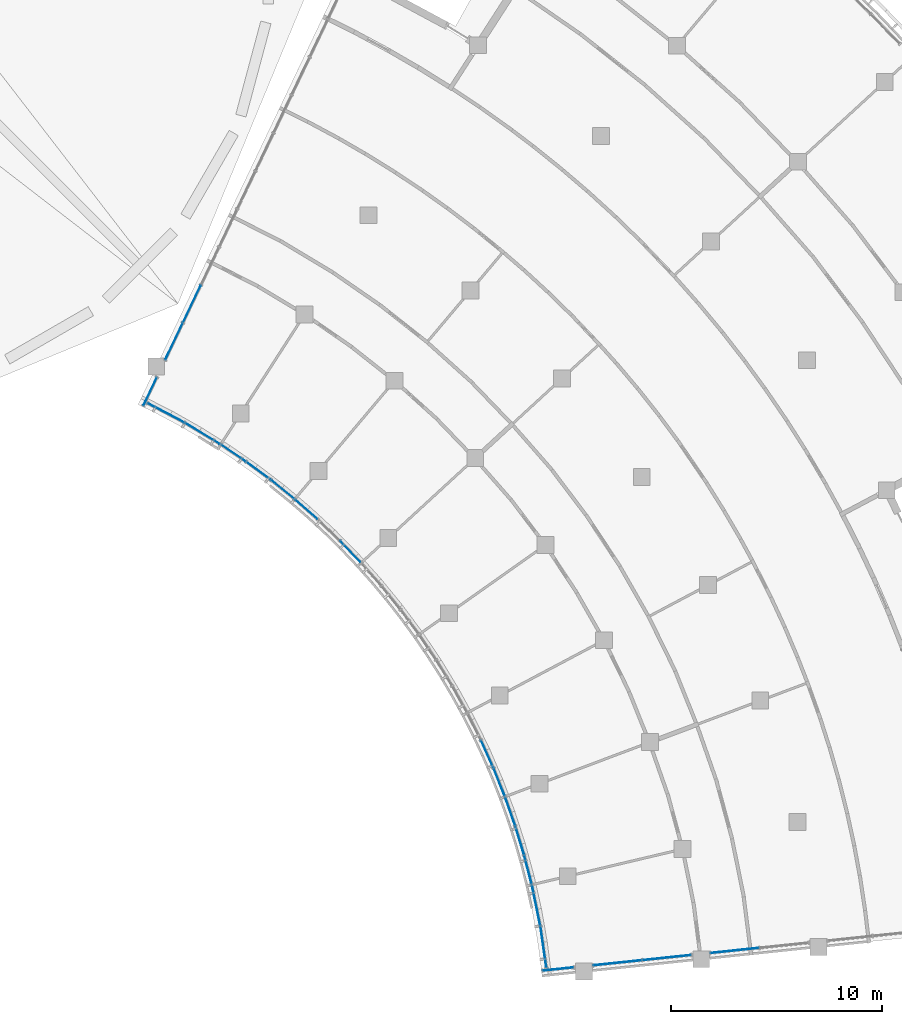
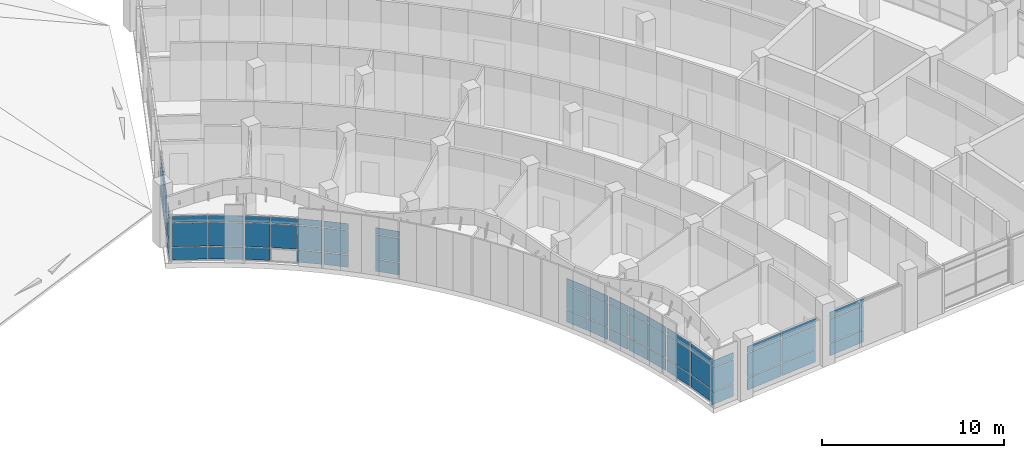
# One storey, part 49 of 137: 62 plates, 11 elements without a shape of their own.
"""IFC4 building model written with IfcOpenShell, lengths in metres."""

from ifc_helpers import new_model, si_unit, direction, frame, origin, origin_2d, place, context, subcontext, project, spatial, rectangle, extrude, material, layer, layer_set, type_object, element, aggregate, save


model = new_model("IFC4")

# Units and contexts
model_context = context("Model", 3, precision=1e-05, world=origin(), true_north=direction((0.0, 1.0)))
body_context = subcontext(model_context, "Body", "Model", "MODEL_VIEW")
ifc_project = project(units=[si_unit("LENGTHUNIT", "METRE"), si_unit("AREAUNIT", "SQUARE_METRE"), si_unit("VOLUMEUNIT", "CUBIC_METRE"), si_unit("PLANEANGLEUNIT", "RADIAN"), si_unit("MASSUNIT", "GRAM", prefix="KILO")], contexts=[model_context])

# Site, building, storey
site_placement = place(None, origin())
site = spatial("IfcSite", under=ifc_project, at=site_placement, CompositionType="ELEMENT")
building_placement = place(site_placement, origin())
building = spatial("IfcBuilding", under=site, at=building_placement, Name="Bougainvillea Quay General Hospital", CompositionType="ELEMENT")
storey_placement = place(building_placement, frame((0.0, 0.0, 16.800048828125)))
storey = spatial("IfcBuildingStorey", under=building, at=storey_placement, Name="L03", CompositionType="ELEMENT", Elevation=16.800048828125)

# Curtain wall, plates
ifc_material_1 = material(Name="Aluminium curtain wall system, powder-coated glazed", Category="aluminium")
curtain_wall_type_1 = type_object("IfcCurtainWallType", Name="Unitised curtain wall CW-1997", PredefinedType="NOTDEFINED", material=ifc_material_1)
curtain_wall_1_placement = place(storey_placement, origin())
curtain_wall_1 = element("IfcCurtainWall", 1, at=curtain_wall_1_placement, inside=storey, type_object=curtain_wall_type_1, Name="CW-AE 02", PredefinedType="NOTDEFINED")
ifc_material_2 = material(Name="Insulated aluminium spandrel panel, white", Category="aluminium")
ifc_layer_1 = layer(ifc_material_2, 0.028076171875)
ifc_layer_set_1 = layer_set([ifc_layer_1], Name="Insulated aluminium spandrel panel, white")
plate_type_1 = type_object("IfcPlateType", Name="Insulated spandrel panel white 28", PredefinedType="CURTAIN_PANEL", material=ifc_layer_set_1)
plate_1_placement = place(storey_placement, frame((126.3935546875, 57.466796875, 0.059814453125), z_axis=(0.0, 0.0, 1.0), x_axis=(-0.430525444112, -0.902578440897, 0.0)))
plate_1 = element("IfcPlate", 2, at=plate_1_placement, type_object=plate_type_1, Name="CW-AE spandrel panel 9.1", PredefinedType="CURTAIN_PANEL", context=body_context, shape_type="SweptSolid", body=[
    extrude(rectangle(XDim=1.93603515625, YDim=0.028076171875, at=origin_2d()), origin(), (0.0, 0.0, 1.0), 0.81005859375),
])
plate_2_placement = place(storey_placement, frame((126.3935546875, 57.466796875, 2.580078125), z_axis=(0.0, 0.0, 1.0), x_axis=(-0.430525444112, -0.902578440897, 0.0)))
plate_2 = element("IfcPlate", 3, at=plate_2_placement, type_object=plate_type_1, Name="CW-AE spandrel panel 9.3", PredefinedType="CURTAIN_PANEL", context=body_context, shape_type="SweptSolid", body=[
    extrude(rectangle(XDim=1.93603515625, YDim=0.028076171875, at=origin_2d()), origin(), (0.0, 0.0, 1.0), 0.409912109375),
])
plate_3_placement = place(storey_placement, frame((125.54052734375, 55.6787109375, 0.059814453125), z_axis=(0.0, 0.0, 1.0), x_axis=(-0.430525444112, -0.902578440897, 0.0)))
plate_3 = element("IfcPlate", 4, at=plate_3_placement, type_object=plate_type_1, Name="CW-AE spandrel panel 10.1", PredefinedType="CURTAIN_PANEL", context=body_context, shape_type="SweptSolid", body=[
    extrude(rectangle(XDim=1.906005859375, YDim=0.028076171875, at=origin_2d()), origin(), (0.0, 0.0, 1.0), 0.81005859375),
])
plate_4_placement = place(storey_placement, frame((125.54052734375, 55.6787109375, 2.580078125), z_axis=(0.0, 0.0, 1.0), x_axis=(-0.430525444112, -0.902578440897, 0.0)))
plate_4 = element("IfcPlate", 5, at=plate_4_placement, type_object=plate_type_1, Name="CW-AE spandrel panel 10.3", PredefinedType="CURTAIN_PANEL", context=body_context, shape_type="SweptSolid", body=[
    extrude(rectangle(XDim=1.906005859375, YDim=0.028076171875, at=origin_2d()), origin(), (0.0, 0.0, 1.0), 0.409912109375),
])

curtain_wall_type_2 = type_object("IfcCurtainWallType", Name="Unitised curtain wall CW-1580", PredefinedType="NOTDEFINED", material=ifc_material_1)
curtain_wall_2_placement = place(storey_placement, origin())
curtain_wall_2 = element("IfcCurtainWall", 6, at=curtain_wall_2_placement, inside=storey, type_object=curtain_wall_type_2, Name="CW-AE 03", PredefinedType="NOTDEFINED")
plate_5_placement = place(storey_placement, frame((124.40283203125, 53.293212890625, 0.059814453125), z_axis=(0.0, 0.0, 1.0), x_axis=(-0.430525444112, -0.902578440897, 0.0)))
plate_5 = element("IfcPlate", 7, at=plate_5_placement, type_object=plate_type_1, Name="CW-AE spandrel panel 1.1", PredefinedType="CURTAIN_PANEL", context=body_context, shape_type="SweptSolid", body=[
    extrude(rectangle(XDim=1.459716796875, YDim=0.028076171875, at=origin_2d()), origin(), (0.0, 0.0, 1.0), 0.81005859375),
])
plate_6_placement = place(storey_placement, frame((124.40283203125, 53.293212890625, 2.580078125), z_axis=(0.0, 0.0, 1.0), x_axis=(-0.430525444112, -0.902578440897, 0.0)))
plate_6 = element("IfcPlate", 8, at=plate_6_placement, type_object=plate_type_1, Name="CW-AE spandrel panel 1.3", PredefinedType="CURTAIN_PANEL", context=body_context, shape_type="SweptSolid", body=[
    extrude(rectangle(XDim=1.459716796875, YDim=0.028076171875, at=origin_2d()), origin(), (0.0, 0.0, 1.0), 0.409912109375),
])

curtain_wall_type_3 = type_object("IfcCurtainWallType", Name="Unitised curtain wall CW-2100", PredefinedType="NOTDEFINED", material=ifc_material_1)
curtain_wall_3_placement = place(storey_placement, origin())
curtain_wall_3 = element("IfcCurtainWall", 9, at=curtain_wall_3_placement, inside=storey, type_object=curtain_wall_type_3, Name="CW-E01 a12b0", PredefinedType="NOTDEFINED")
plate_7_placement = place(storey_placement, frame((125.157470703125, 52.28857421875, 0.059814453125), z_axis=(0.0, 0.0, 1.0), x_axis=(0.884928841116, -0.46572625668, 0.0)))
plate_7 = element("IfcPlate", 10, at=plate_7_placement, type_object=plate_type_1, Name="CW-E01 spandrel panel 1.1", PredefinedType="CURTAIN_PANEL", context=body_context, shape_type="SweptSolid", body=[
    extrude(rectangle(XDim=1.924072265625, YDim=0.028076171875, at=origin_2d()), origin(), (0.0, 0.0, 1.0), 0.81005859375),
])
plate_8_placement = place(storey_placement, frame((125.157470703125, 52.28857421875, 2.580078125), z_axis=(0.0, 0.0, 1.0), x_axis=(0.884928841116, -0.46572625668, 0.0)))
plate_8 = element("IfcPlate", 11, at=plate_8_placement, type_object=plate_type_1, Name="CW-E01 spandrel panel 1.3", PredefinedType="CURTAIN_PANEL", context=body_context, shape_type="SweptSolid", body=[
    extrude(rectangle(XDim=1.924072265625, YDim=0.028076171875, at=origin_2d()), origin(), (0.0, 0.0, 1.0), 0.409912109375),
])
plate_9_placement = place(storey_placement, frame((126.884521484375, 51.313720703125, 0.059814453125), z_axis=(0.0, 0.0, 1.0), x_axis=(0.856022874409, -0.516937944525, 0.0)))
plate_9 = element("IfcPlate", 12, at=plate_9_placement, type_object=plate_type_1, Name="CW-E01 spandrel panel 2.1", PredefinedType="CURTAIN_PANEL", context=body_context, shape_type="SweptSolid", body=[
    extrude(rectangle(XDim=1.924072265625, YDim=0.028076171875, at=origin_2d()), origin(), (0.0, 0.0, 1.0), 0.81005859375),
])
plate_10_placement = place(storey_placement, frame((126.884521484375, 51.313720703125, 2.580078125), z_axis=(0.0, 0.0, 1.0), x_axis=(0.856022874409, -0.516937944525, 0.0)))
plate_10 = element("IfcPlate", 13, at=plate_10_placement, type_object=plate_type_1, Name="CW-E01 spandrel panel 2.3", PredefinedType="CURTAIN_PANEL", context=body_context, shape_type="SweptSolid", body=[
    extrude(rectangle(XDim=1.924072265625, YDim=0.028076171875, at=origin_2d()), origin(), (0.0, 0.0, 1.0), 0.409912109375),
])

curtain_wall_4_placement = place(storey_placement, origin())
curtain_wall_4 = element("IfcCurtainWall", 14, at=curtain_wall_4_placement, inside=storey, type_object=curtain_wall_type_3, Name="CW-E02 a12b1", PredefinedType="NOTDEFINED")
plate_11_placement = place(storey_placement, frame((128.37548828125, 50.369384765625, 0.059814453125), z_axis=(0.0, 0.0, 1.0), x_axis=(0.828738154592, -0.559636552705, 0.0)))
plate_11 = element("IfcPlate", 15, at=plate_11_placement, type_object=plate_type_1, Name="CW-E02 spandrel panel 1.1", PredefinedType="CURTAIN_PANEL", context=body_context, shape_type="SweptSolid", body=[
    extrude(rectangle(XDim=1.366943359375, YDim=0.028076171875, at=origin_2d()), origin(), (0.0, 0.0, 1.0), 0.81005859375),
])
plate_12_placement = place(storey_placement, frame((128.37548828125, 50.369384765625, 2.580078125), z_axis=(0.0, 0.0, 1.0), x_axis=(0.828738154592, -0.559636552705, 0.0)))
plate_12 = element("IfcPlate", 16, at=plate_12_placement, type_object=plate_type_1, Name="CW-E02 spandrel panel 1.3", PredefinedType="CURTAIN_PANEL", context=body_context, shape_type="SweptSolid", body=[
    extrude(rectangle(XDim=1.366943359375, YDim=0.028076171875, at=origin_2d()), origin(), (0.0, 0.0, 1.0), 0.409912109375),
])
plate_13_placement = place(storey_placement, frame((129.552734375, 49.537109375, 2.580078125), z_axis=(0.0, 0.0, 1.0), x_axis=(0.804188946942, -0.594373735638, 0.0)))
plate_13 = element("IfcPlate", 17, at=plate_13_placement, type_object=plate_type_1, Name="CW-E02 spandrel panel 2.3", PredefinedType="CURTAIN_PANEL", context=body_context, shape_type="SweptSolid", body=[
    extrude(rectangle(XDim=1.39697265625, YDim=0.028076171875, at=origin_2d()), origin(), (0.0, 0.0, 1.0), 0.409912109375),
])
plate_14_placement = place(storey_placement, frame((130.693603515625, 48.65625, 0.059814453125), z_axis=(0.0, 0.0, 1.0), x_axis=(0.778184691702, -0.628035497086, 0.0)))
plate_14 = element("IfcPlate", 18, at=plate_14_placement, type_object=plate_type_1, Name="CW-E02 spandrel panel 3.1", PredefinedType="CURTAIN_PANEL", context=body_context, shape_type="SweptSolid", body=[
    extrude(rectangle(XDim=1.366943359375, YDim=0.028076171875, at=origin_2d()), origin(), (0.0, 0.0, 1.0), 0.81005859375),
])
plate_15_placement = place(storey_placement, frame((130.693603515625, 48.65625, 2.580078125), z_axis=(0.0, 0.0, 1.0), x_axis=(0.778184691702, -0.628035497086, 0.0)))
plate_15 = element("IfcPlate", 19, at=plate_15_placement, type_object=plate_type_1, Name="CW-E02 spandrel panel 3.3", PredefinedType="CURTAIN_PANEL", context=body_context, shape_type="SweptSolid", body=[
    extrude(rectangle(XDim=1.366943359375, YDim=0.028076171875, at=origin_2d()), origin(), (0.0, 0.0, 1.0), 0.409912109375),
])

curtain_wall_5_placement = place(storey_placement, origin())
curtain_wall_5 = element("IfcCurtainWall", 20, at=curtain_wall_5_placement, inside=storey, type_object=curtain_wall_type_3, Name="CW-E03 a12b2", PredefinedType="NOTDEFINED")
plate_16_placement = place(storey_placement, frame((131.830322265625, 47.6982421875, 0.059814453125), z_axis=(0.0, 0.0, 1.0), x_axis=(0.750772439283, -0.660560931643, 0.0)))
plate_16 = element("IfcPlate", 21, at=plate_16_placement, type_object=plate_type_1, Name="CW-E03 spandrel panel 1.1", PredefinedType="CURTAIN_PANEL", context=body_context, shape_type="SweptSolid", body=[
    extrude(rectangle(XDim=1.366943359375, YDim=0.028076171875, at=origin_2d()), origin(), (0.0, 0.0, 1.0), 0.81005859375),
])
plate_17_placement = place(storey_placement, frame((131.830322265625, 47.6982421875, 2.580078125), z_axis=(0.0, 0.0, 1.0), x_axis=(0.750772439283, -0.660560931643, 0.0)))
plate_17 = element("IfcPlate", 22, at=plate_17_placement, type_object=plate_type_1, Name="CW-E03 spandrel panel 1.3", PredefinedType="CURTAIN_PANEL", context=body_context, shape_type="SweptSolid", body=[
    extrude(rectangle(XDim=1.366943359375, YDim=0.028076171875, at=origin_2d()), origin(), (0.0, 0.0, 1.0), 0.409912109375),
])
plate_18_placement = place(storey_placement, frame((133.911376953125, 45.703857421875, 0.059814453125), z_axis=(0.0, 0.0, 1.0), x_axis=(0.691924792604, -0.721969584803, 0.0)))
plate_18 = element("IfcPlate", 23, at=plate_18_placement, type_object=plate_type_1, Name="CW-E03 spandrel panel 3.1", PredefinedType="CURTAIN_PANEL", context=body_context, shape_type="SweptSolid", body=[
    extrude(rectangle(XDim=1.366943359375, YDim=0.028076171875, at=origin_2d()), origin(), (0.0, 0.0, 1.0), 0.81005859375),
])
plate_19_placement = place(storey_placement, frame((133.911376953125, 45.703857421875, 2.580078125), z_axis=(0.0, 0.0, 1.0), x_axis=(0.691924792604, -0.721969584803, 0.0)))
plate_19 = element("IfcPlate", 24, at=plate_19_placement, type_object=plate_type_1, Name="CW-E03 spandrel panel 3.3", PredefinedType="CURTAIN_PANEL", context=body_context, shape_type="SweptSolid", body=[
    extrude(rectangle(XDim=1.366943359375, YDim=0.028076171875, at=origin_2d()), origin(), (0.0, 0.0, 1.0), 0.409912109375),
])

curtain_wall_6_placement = place(storey_placement, origin())
curtain_wall_6 = element("IfcCurtainWall", 25, at=curtain_wall_6_placement, inside=storey, type_object=curtain_wall_type_3, Name="CW-E06 a12b5", PredefinedType="NOTDEFINED")
plate_20_placement = place(storey_placement, frame((140.412353515625, 36.08251953125, 0.059814453125), z_axis=(0.0, 0.0, 1.0), x_axis=(0.411259830755, -0.911518157585, 0.0)))
plate_20 = element("IfcPlate", 26, at=plate_20_placement, type_object=plate_type_1, Name="CW-E06 spandrel panel 2.1", PredefinedType="CURTAIN_PANEL", context=body_context, shape_type="SweptSolid", body=[
    extrude(rectangle(XDim=1.39697265625, YDim=0.028076171875, at=origin_2d()), origin(), (0.0, 0.0, 1.0), 0.81005859375),
])
plate_21_placement = place(storey_placement, frame((140.412353515625, 36.08251953125, 2.580078125), z_axis=(0.0, 0.0, 1.0), x_axis=(0.411259830755, -0.911518157585, 0.0)))
plate_21 = element("IfcPlate", 27, at=plate_21_placement, type_object=plate_type_1, Name="CW-E06 spandrel panel 2.3", PredefinedType="CURTAIN_PANEL", context=body_context, shape_type="SweptSolid", body=[
    extrude(rectangle(XDim=1.39697265625, YDim=0.028076171875, at=origin_2d()), origin(), (0.0, 0.0, 1.0), 0.409912109375),
])
plate_22_placement = place(storey_placement, frame((140.9775390625, 34.75634765625, 0.059814453125), z_axis=(0.0, 0.0, 1.0), x_axis=(0.372123951912, -0.92818304467, 0.0)))
plate_22 = element("IfcPlate", 28, at=plate_22_placement, type_object=plate_type_1, Name="CW-E06 spandrel panel 3.1", PredefinedType="CURTAIN_PANEL", context=body_context, shape_type="SweptSolid", body=[
    extrude(rectangle(XDim=1.366943359375, YDim=0.028076171875, at=origin_2d()), origin(), (0.0, 0.0, 1.0), 0.81005859375),
])
plate_23_placement = place(storey_placement, frame((140.9775390625, 34.75634765625, 2.580078125), z_axis=(0.0, 0.0, 1.0), x_axis=(0.372123951912, -0.92818304467, 0.0)))
plate_23 = element("IfcPlate", 29, at=plate_23_placement, type_object=plate_type_1, Name="CW-E06 spandrel panel 3.3", PredefinedType="CURTAIN_PANEL", context=body_context, shape_type="SweptSolid", body=[
    extrude(rectangle(XDim=1.366943359375, YDim=0.028076171875, at=origin_2d()), origin(), (0.0, 0.0, 1.0), 0.409912109375),
])

curtain_wall_7_placement = place(storey_placement, origin())
curtain_wall_7 = element("IfcCurtainWall", 30, at=curtain_wall_7_placement, inside=storey, type_object=curtain_wall_type_3, Name="CW-E07 a12b6", PredefinedType="NOTDEFINED")
plate_24_placement = place(storey_placement, frame((141.501220703125, 33.364990234375, 0.059814453125), z_axis=(0.0, 0.0, 1.0), x_axis=(0.332314775986, -0.943168537252, 0.0)))
plate_24 = element("IfcPlate", 31, at=plate_24_placement, type_object=plate_type_1, Name="CW-E07 spandrel panel 1.1", PredefinedType="CURTAIN_PANEL", context=body_context, shape_type="SweptSolid", body=[
    extrude(rectangle(XDim=1.366943359375, YDim=0.028076171875, at=origin_2d()), origin(), (0.0, 0.0, 1.0), 0.81005859375),
])
plate_25_placement = place(storey_placement, frame((141.501220703125, 33.364990234375, 2.580078125), z_axis=(0.0, 0.0, 1.0), x_axis=(0.332314775986, -0.943168537252, 0.0)))
plate_25 = element("IfcPlate", 32, at=plate_25_placement, type_object=plate_type_1, Name="CW-E07 spandrel panel 1.3", PredefinedType="CURTAIN_PANEL", context=body_context, shape_type="SweptSolid", body=[
    extrude(rectangle(XDim=1.366943359375, YDim=0.028076171875, at=origin_2d()), origin(), (0.0, 0.0, 1.0), 0.409912109375),
])
plate_26_placement = place(storey_placement, frame((141.950927734375, 31.995361328125, 0.059814453125), z_axis=(0.0, 0.0, 1.0), x_axis=(0.291904331163, -0.956447521534, 0.0)))
plate_26 = element("IfcPlate", 33, at=plate_26_placement, type_object=plate_type_1, Name="CW-E07 spandrel panel 2.1", PredefinedType="CURTAIN_PANEL", context=body_context, shape_type="SweptSolid", body=[
    extrude(rectangle(XDim=1.39697265625, YDim=0.028076171875, at=origin_2d()), origin(), (0.0, 0.0, 1.0), 0.81005859375),
])
plate_27_placement = place(storey_placement, frame((141.950927734375, 31.995361328125, 2.580078125), z_axis=(0.0, 0.0, 1.0), x_axis=(0.291904331163, -0.956447521534, 0.0)))
plate_27 = element("IfcPlate", 34, at=plate_27_placement, type_object=plate_type_1, Name="CW-E07 spandrel panel 2.3", PredefinedType="CURTAIN_PANEL", context=body_context, shape_type="SweptSolid", body=[
    extrude(rectangle(XDim=1.39697265625, YDim=0.028076171875, at=origin_2d()), origin(), (0.0, 0.0, 1.0), 0.409912109375),
])
plate_28_placement = place(storey_placement, frame((142.342529296875, 30.608154296875, 0.059814453125), z_axis=(0.0, 0.0, 1.0), x_axis=(0.250965733479, -0.967995971386, 0.0)))
plate_28 = element("IfcPlate", 35, at=plate_28_placement, type_object=plate_type_1, Name="CW-E07 spandrel panel 3.1", PredefinedType="CURTAIN_PANEL", context=body_context, shape_type="SweptSolid", body=[
    extrude(rectangle(XDim=1.366943359375, YDim=0.028076171875, at=origin_2d()), origin(), (0.0, 0.0, 1.0), 0.81005859375),
])
plate_29_placement = place(storey_placement, frame((142.342529296875, 30.608154296875, 2.580078125), z_axis=(0.0, 0.0, 1.0), x_axis=(0.250965733479, -0.967995971386, 0.0)))
plate_29 = element("IfcPlate", 36, at=plate_29_placement, type_object=plate_type_1, Name="CW-E07 spandrel panel 3.3", PredefinedType="CURTAIN_PANEL", context=body_context, shape_type="SweptSolid", body=[
    extrude(rectangle(XDim=1.366943359375, YDim=0.028076171875, at=origin_2d()), origin(), (0.0, 0.0, 1.0), 0.409912109375),
])

curtain_wall_8_placement = place(storey_placement, origin())
curtain_wall_8 = element("IfcCurtainWall", 37, at=curtain_wall_8_placement, inside=storey, type_object=curtain_wall_type_3, Name="CW-E08 a12b7", PredefinedType="NOTDEFINED")
plate_30_placement = place(storey_placement, frame((142.7353515625, 28.886962890625, 0.059814453125), z_axis=(0.0, 0.0, 1.0), x_axis=(0.201594935096, -0.979468979674, 0.0)))
plate_30 = element("IfcPlate", 38, at=plate_30_placement, type_object=plate_type_1, Name="CW-E08 spandrel panel 1.1", PredefinedType="CURTAIN_PANEL", context=body_context, shape_type="SweptSolid", body=[
    extrude(rectangle(XDim=1.925048828125, YDim=0.028076171875, at=origin_2d()), origin(), (0.0, 0.0, 1.0), 0.81005859375),
])
plate_31_placement = place(storey_placement, frame((142.7353515625, 28.886962890625, 2.580078125), z_axis=(0.0, 0.0, 1.0), x_axis=(0.201594935096, -0.979468979674, 0.0)))
plate_31 = element("IfcPlate", 39, at=plate_31_placement, type_object=plate_type_1, Name="CW-E08 spandrel panel 1.3", PredefinedType="CURTAIN_PANEL", context=body_context, shape_type="SweptSolid", body=[
    extrude(rectangle(XDim=1.925048828125, YDim=0.028076171875, at=origin_2d()), origin(), (0.0, 0.0, 1.0), 0.409912109375),
])
plate_32_placement = place(storey_placement, frame((143.077880859375, 26.932373046875, 0.059814453125), z_axis=(0.0, 0.0, 1.0), x_axis=(0.143643342173, -0.989629521715, 0.0)))
plate_32 = element("IfcPlate", 40, at=plate_32_placement, type_object=plate_type_1, Name="CW-E08 spandrel panel 2.1", PredefinedType="CURTAIN_PANEL", context=body_context, shape_type="SweptSolid", body=[
    extrude(rectangle(XDim=1.925048828125, YDim=0.028076171875, at=origin_2d()), origin(), (0.0, 0.0, 1.0), 0.81005859375),
])
plate_33_placement = place(storey_placement, frame((143.077880859375, 26.932373046875, 2.580078125), z_axis=(0.0, 0.0, 1.0), x_axis=(0.143643342173, -0.989629521715, 0.0)))
plate_33 = element("IfcPlate", 41, at=plate_33_placement, type_object=plate_type_1, Name="CW-E08 spandrel panel 2.3", PredefinedType="CURTAIN_PANEL", context=body_context, shape_type="SweptSolid", body=[
    extrude(rectangle(XDim=1.925048828125, YDim=0.028076171875, at=origin_2d()), origin(), (0.0, 0.0, 1.0), 0.409912109375),
])

curtain_wall_type_4 = type_object("IfcCurtainWallType", Name="Unitised curtain wall CW-1581", PredefinedType="NOTDEFINED", material=ifc_material_1)
curtain_wall_9_placement = place(storey_placement, origin())
curtain_wall_9 = element("IfcCurtainWall", 42, at=curtain_wall_9_placement, inside=storey, type_object=curtain_wall_type_4, Name="CW-AE 00", PredefinedType="NOTDEFINED")
plate_34_placement = place(storey_placement, frame((143.773681640625, 25.88525390625, 0.059814453125), z_axis=(0.0, 0.0, 1.0), x_axis=(0.9945220309, 0.104527173765, 0.0)))
plate_34 = element("IfcPlate", 43, at=plate_34_placement, type_object=plate_type_1, Name="CW-AE spandrel panel 1.1", PredefinedType="CURTAIN_PANEL", context=body_context, shape_type="SweptSolid", body=[
    extrude(rectangle(XDim=1.460205078125, YDim=0.028076171875, at=origin_2d()), origin(), (0.0, 0.0, 1.0), 0.81005859375),
])
plate_35_placement = place(storey_placement, frame((143.773681640625, 25.88525390625, 2.580078125), z_axis=(0.0, 0.0, 1.0), x_axis=(0.9945220309, 0.104527173765, 0.0)))
plate_35 = element("IfcPlate", 44, at=plate_35_placement, type_object=plate_type_1, Name="CW-AE spandrel panel 1.3", PredefinedType="CURTAIN_PANEL", context=body_context, shape_type="SweptSolid", body=[
    extrude(rectangle(XDim=1.460205078125, YDim=0.028076171875, at=origin_2d()), origin(), (0.0, 0.0, 1.0), 0.409912109375),
])

curtain_wall_type_5 = type_object("IfcCurtainWallType", Name="Unitised curtain wall CW-2380", PredefinedType="NOTDEFINED", material=ifc_material_1)
curtain_wall_10_placement = place(storey_placement, origin())
curtain_wall_10 = element("IfcCurtainWall", 45, at=curtain_wall_10_placement, inside=storey, type_object=curtain_wall_type_5, Name="CW-AE 01", PredefinedType="NOTDEFINED")
plate_36_placement = place(storey_placement, frame((146.59326171875, 26.181640625, 0.059814453125), z_axis=(0.0, 0.0, 1.0), x_axis=(0.9945220309, 0.104527173765, 0.0)))
plate_36 = element("IfcPlate", 46, at=plate_36_placement, type_object=plate_type_1, Name="CW-AE spandrel panel 1.1", PredefinedType="CURTAIN_PANEL", context=body_context, shape_type="SweptSolid", body=[
    extrude(rectangle(XDim=2.289794921875, YDim=0.028076171875, at=origin_2d()), origin(), (0.0, 0.0, 1.0), 0.81005859375),
])
plate_37_placement = place(storey_placement, frame((146.59326171875, 26.181640625, 2.580078125), z_axis=(0.0, 0.0, 1.0), x_axis=(0.9945220309, 0.104527173765, 0.0)))
plate_37 = element("IfcPlate", 47, at=plate_37_placement, type_object=plate_type_1, Name="CW-AE spandrel panel 1.3", PredefinedType="CURTAIN_PANEL", context=body_context, shape_type="SweptSolid", body=[
    extrude(rectangle(XDim=2.289794921875, YDim=0.028076171875, at=origin_2d()), origin(), (0.0, 0.0, 1.0), 0.409912109375),
])
plate_38_placement = place(storey_placement, frame((148.93017578125, 26.42724609375, 0.059814453125), z_axis=(0.0, 0.0, 1.0), x_axis=(0.9945220309, 0.104527173765, 0.0)))
plate_38 = element("IfcPlate", 48, at=plate_38_placement, type_object=plate_type_1, Name="CW-AE spandrel panel 2.1", PredefinedType="CURTAIN_PANEL", context=body_context, shape_type="SweptSolid", body=[
    extrude(rectangle(XDim=2.289794921875, YDim=0.028076171875, at=origin_2d()), origin(), (0.0, 0.0, 1.0), 0.81005859375),
])
plate_39_placement = place(storey_placement, frame((148.93017578125, 26.42724609375, 2.580078125), z_axis=(0.0, 0.0, 1.0), x_axis=(0.9945220309, 0.104527173765, 0.0)))
plate_39 = element("IfcPlate", 49, at=plate_39_placement, type_object=plate_type_1, Name="CW-AE spandrel panel 2.3", PredefinedType="CURTAIN_PANEL", context=body_context, shape_type="SweptSolid", body=[
    extrude(rectangle(XDim=2.289794921875, YDim=0.028076171875, at=origin_2d()), origin(), (0.0, 0.0, 1.0), 0.409912109375),
])

curtain_wall_11_placement = place(storey_placement, origin())
curtain_wall_11 = element("IfcCurtainWall", 50, at=curtain_wall_11_placement, inside=storey, type_object=curtain_wall_type_5, Name="CW-AE 02", PredefinedType="NOTDEFINED")
plate_40_placement = place(storey_placement, frame((152.162109375, 26.766845703125, 0.059814453125), z_axis=(0.0, 0.0, 1.0), x_axis=(0.9945220309, 0.104527173765, 0.0)))
plate_40 = element("IfcPlate", 51, at=plate_40_placement, type_object=plate_type_1, Name="CW-AE spandrel panel 1.1", PredefinedType="CURTAIN_PANEL", context=body_context, shape_type="SweptSolid", body=[
    extrude(rectangle(XDim=2.289794921875, YDim=0.028076171875, at=origin_2d()), origin(), (0.0, 0.0, 1.0), 0.81005859375),
])
plate_41_placement = place(storey_placement, frame((152.162109375, 26.766845703125, 2.580078125), z_axis=(0.0, 0.0, 1.0), x_axis=(0.9945220309, 0.104527173765, 0.0)))
plate_41 = element("IfcPlate", 52, at=plate_41_placement, type_object=plate_type_1, Name="CW-AE spandrel panel 1.3", PredefinedType="CURTAIN_PANEL", context=body_context, shape_type="SweptSolid", body=[
    extrude(rectangle(XDim=2.289794921875, YDim=0.028076171875, at=origin_2d()), origin(), (0.0, 0.0, 1.0), 0.409912109375),
])

# Plate
ifc_material_3 = material(Name="Low-e laminated glass, solar control", Category="glass")
ifc_layer_2 = layer(ifc_material_3, 0.028076171875)
ifc_layer_set_2 = layer_set([ifc_layer_2], Name="Low-e laminated glass, solar control")
plate_type_2 = type_object("IfcPlateType", Name="Low-e laminated vision glass 28", PredefinedType="CURTAIN_PANEL", material=ifc_layer_set_2)
plate_42_placement = place(storey_placement, frame((126.3935546875, 57.466796875, 0.9296875), z_axis=(0.0, 0.0, 1.0), x_axis=(-0.430525444112, -0.902578440897, 0.0)))
plate_42 = element("IfcPlate", 53, at=plate_42_placement, type_object=plate_type_2, Name="CW-AE vision glass panel 9.2", PredefinedType="CURTAIN_PANEL", context=body_context, shape_type="SweptSolid", body=[
    extrude(rectangle(XDim=1.93603515625, YDim=0.028076171875, at=origin_2d()), origin(), (0.0, 0.0, 1.0), 1.590087890625),
])

plate_43_placement = place(storey_placement, frame((125.54052734375, 55.6787109375, 0.9296875), z_axis=(0.0, 0.0, 1.0), x_axis=(-0.430525444112, -0.902578440897, 0.0)))
plate_43 = element("IfcPlate", 54, at=plate_43_placement, type_object=plate_type_2, Name="CW-AE vision glass panel 10.2", PredefinedType="CURTAIN_PANEL", context=body_context, shape_type="SweptSolid", body=[
    extrude(rectangle(XDim=1.906005859375, YDim=0.028076171875, at=origin_2d()), origin(), (0.0, 0.0, 1.0), 1.590087890625),
])

aggregate(curtain_wall_1, [plate_1, plate_42, plate_2, plate_3, plate_43, plate_4])

plate_44_placement = place(storey_placement, frame((124.40283203125, 53.293212890625, 0.9296875), z_axis=(0.0, 0.0, 1.0), x_axis=(-0.430525444112, -0.902578440897, 0.0)))
plate_44 = element("IfcPlate", 55, at=plate_44_placement, type_object=plate_type_2, Name="CW-AE vision glass panel 1.2", PredefinedType="CURTAIN_PANEL", context=body_context, shape_type="SweptSolid", body=[
    extrude(rectangle(XDim=1.459716796875, YDim=0.028076171875, at=origin_2d()), origin(), (0.0, 0.0, 1.0), 1.590087890625),
])

aggregate(curtain_wall_2, [plate_5, plate_44, plate_6])

plate_45_placement = place(storey_placement, frame((125.157470703125, 52.28857421875, 0.9296875), z_axis=(0.0, 0.0, 1.0), x_axis=(0.884928841116, -0.46572625668, 0.0)))
plate_45 = element("IfcPlate", 56, at=plate_45_placement, type_object=plate_type_2, Name="CW-E01 vision glass panel 1.2", PredefinedType="CURTAIN_PANEL", context=body_context, shape_type="SweptSolid", body=[
    extrude(rectangle(XDim=1.924072265625, YDim=0.028076171875, at=origin_2d()), origin(), (0.0, 0.0, 1.0), 1.590087890625),
])

plate_46_placement = place(storey_placement, frame((126.884521484375, 51.313720703125, 0.9296875), z_axis=(0.0, 0.0, 1.0), x_axis=(0.856022874409, -0.516937944525, 0.0)))
plate_46 = element("IfcPlate", 57, at=plate_46_placement, type_object=plate_type_2, Name="CW-E01 vision glass panel 2.2", PredefinedType="CURTAIN_PANEL", context=body_context, shape_type="SweptSolid", body=[
    extrude(rectangle(XDim=1.924072265625, YDim=0.028076171875, at=origin_2d()), origin(), (0.0, 0.0, 1.0), 1.590087890625),
])

aggregate(curtain_wall_3, [plate_7, plate_45, plate_8, plate_9, plate_46, plate_10])

plate_47_placement = place(storey_placement, frame((128.37548828125, 50.369384765625, 0.9296875), z_axis=(0.0, 0.0, 1.0), x_axis=(0.828738154592, -0.559636552705, 0.0)))
plate_47 = element("IfcPlate", 58, at=plate_47_placement, type_object=plate_type_2, Name="CW-E02 vision glass panel 1.2", PredefinedType="CURTAIN_PANEL", context=body_context, shape_type="SweptSolid", body=[
    extrude(rectangle(XDim=1.366943359375, YDim=0.028076171875, at=origin_2d()), origin(), (0.0, 0.0, 1.0), 1.590087890625),
])

plate_48_placement = place(storey_placement, frame((129.552734375, 49.537109375, 0.9296875), z_axis=(0.0, 0.0, 1.0), x_axis=(0.804188946942, -0.594373735638, 0.0)))
plate_48 = element("IfcPlate", 59, at=plate_48_placement, type_object=plate_type_2, Name="CW-E02 vision glass panel 2.2", PredefinedType="CURTAIN_PANEL", context=body_context, shape_type="SweptSolid", body=[
    extrude(rectangle(XDim=1.39697265625, YDim=0.028076171875, at=origin_2d()), origin(), (0.0, 0.0, 1.0), 1.590087890625),
])

plate_49_placement = place(storey_placement, frame((130.693603515625, 48.65625, 0.9296875), z_axis=(0.0, 0.0, 1.0), x_axis=(0.778184691702, -0.628035497086, 0.0)))
plate_49 = element("IfcPlate", 60, at=plate_49_placement, type_object=plate_type_2, Name="CW-E02 vision glass panel 3.2", PredefinedType="CURTAIN_PANEL", context=body_context, shape_type="SweptSolid", body=[
    extrude(rectangle(XDim=1.366943359375, YDim=0.028076171875, at=origin_2d()), origin(), (0.0, 0.0, 1.0), 1.590087890625),
])

aggregate(curtain_wall_4, [plate_11, plate_47, plate_12, plate_48, plate_13, plate_14, plate_49, plate_15])

plate_50_placement = place(storey_placement, frame((131.830322265625, 47.6982421875, 0.9296875), z_axis=(0.0, 0.0, 1.0), x_axis=(0.750772439283, -0.660560931643, 0.0)))
plate_50 = element("IfcPlate", 61, at=plate_50_placement, type_object=plate_type_2, Name="CW-E03 vision glass panel 1.2", PredefinedType="CURTAIN_PANEL", context=body_context, shape_type="SweptSolid", body=[
    extrude(rectangle(XDim=1.366943359375, YDim=0.028076171875, at=origin_2d()), origin(), (0.0, 0.0, 1.0), 1.590087890625),
])

plate_51_placement = place(storey_placement, frame((133.911376953125, 45.703857421875, 0.9296875), z_axis=(0.0, 0.0, 1.0), x_axis=(0.691924792604, -0.721969584803, 0.0)))
plate_51 = element("IfcPlate", 62, at=plate_51_placement, type_object=plate_type_2, Name="CW-E03 vision glass panel 3.2", PredefinedType="CURTAIN_PANEL", context=body_context, shape_type="SweptSolid", body=[
    extrude(rectangle(XDim=1.366943359375, YDim=0.028076171875, at=origin_2d()), origin(), (0.0, 0.0, 1.0), 1.590087890625),
])

aggregate(curtain_wall_5, [plate_16, plate_50, plate_17, plate_18, plate_51, plate_19])

plate_52_placement = place(storey_placement, frame((140.412353515625, 36.08251953125, 0.9296875), z_axis=(0.0, 0.0, 1.0), x_axis=(0.411259830755, -0.911518157585, 0.0)))
plate_52 = element("IfcPlate", 63, at=plate_52_placement, type_object=plate_type_2, Name="CW-E06 vision glass panel 2.2", PredefinedType="CURTAIN_PANEL", context=body_context, shape_type="SweptSolid", body=[
    extrude(rectangle(XDim=1.39697265625, YDim=0.028076171875, at=origin_2d()), origin(), (0.0, 0.0, 1.0), 1.590087890625),
])

plate_53_placement = place(storey_placement, frame((140.9775390625, 34.75634765625, 0.9296875), z_axis=(0.0, 0.0, 1.0), x_axis=(0.372123951912, -0.92818304467, 0.0)))
plate_53 = element("IfcPlate", 64, at=plate_53_placement, type_object=plate_type_2, Name="CW-E06 vision glass panel 3.2", PredefinedType="CURTAIN_PANEL", context=body_context, shape_type="SweptSolid", body=[
    extrude(rectangle(XDim=1.366943359375, YDim=0.028076171875, at=origin_2d()), origin(), (0.0, 0.0, 1.0), 1.590087890625),
])

aggregate(curtain_wall_6, [plate_20, plate_52, plate_21, plate_22, plate_53, plate_23])

plate_54_placement = place(storey_placement, frame((141.501220703125, 33.364990234375, 0.9296875), z_axis=(0.0, 0.0, 1.0), x_axis=(0.332314775986, -0.943168537252, 0.0)))
plate_54 = element("IfcPlate", 65, at=plate_54_placement, type_object=plate_type_2, Name="CW-E07 vision glass panel 1.2", PredefinedType="CURTAIN_PANEL", context=body_context, shape_type="SweptSolid", body=[
    extrude(rectangle(XDim=1.366943359375, YDim=0.028076171875, at=origin_2d()), origin(), (0.0, 0.0, 1.0), 1.590087890625),
])

plate_55_placement = place(storey_placement, frame((141.950927734375, 31.995361328125, 0.9296875), z_axis=(0.0, 0.0, 1.0), x_axis=(0.291904331163, -0.956447521534, 0.0)))
plate_55 = element("IfcPlate", 66, at=plate_55_placement, type_object=plate_type_2, Name="CW-E07 vision glass panel 2.2", PredefinedType="CURTAIN_PANEL", context=body_context, shape_type="SweptSolid", body=[
    extrude(rectangle(XDim=1.39697265625, YDim=0.028076171875, at=origin_2d()), origin(), (0.0, 0.0, 1.0), 1.590087890625),
])

plate_56_placement = place(storey_placement, frame((142.342529296875, 30.608154296875, 0.9296875), z_axis=(0.0, 0.0, 1.0), x_axis=(0.250965733479, -0.967995971386, 0.0)))
plate_56 = element("IfcPlate", 67, at=plate_56_placement, type_object=plate_type_2, Name="CW-E07 vision glass panel 3.2", PredefinedType="CURTAIN_PANEL", context=body_context, shape_type="SweptSolid", body=[
    extrude(rectangle(XDim=1.366943359375, YDim=0.028076171875, at=origin_2d()), origin(), (0.0, 0.0, 1.0), 1.590087890625),
])

aggregate(curtain_wall_7, [plate_24, plate_54, plate_25, plate_26, plate_55, plate_27, plate_28, plate_56, plate_29])

plate_57_placement = place(storey_placement, frame((142.7353515625, 28.886962890625, 0.9296875), z_axis=(0.0, 0.0, 1.0), x_axis=(0.201594935096, -0.979468979674, 0.0)))
plate_57 = element("IfcPlate", 68, at=plate_57_placement, type_object=plate_type_2, Name="CW-E08 vision glass panel 1.2", PredefinedType="CURTAIN_PANEL", context=body_context, shape_type="SweptSolid", body=[
    extrude(rectangle(XDim=1.925048828125, YDim=0.028076171875, at=origin_2d()), origin(), (0.0, 0.0, 1.0), 1.590087890625),
])

plate_58_placement = place(storey_placement, frame((143.077880859375, 26.932373046875, 0.9296875), z_axis=(0.0, 0.0, 1.0), x_axis=(0.143643342173, -0.989629521715, 0.0)))
plate_58 = element("IfcPlate", 69, at=plate_58_placement, type_object=plate_type_2, Name="CW-E08 vision glass panel 2.2", PredefinedType="CURTAIN_PANEL", context=body_context, shape_type="SweptSolid", body=[
    extrude(rectangle(XDim=1.925048828125, YDim=0.028076171875, at=origin_2d()), origin(), (0.0, 0.0, 1.0), 1.590087890625),
])

aggregate(curtain_wall_8, [plate_30, plate_57, plate_31, plate_32, plate_58, plate_33])

plate_59_placement = place(storey_placement, frame((143.773681640625, 25.88525390625, 0.9296875), z_axis=(0.0, 0.0, 1.0), x_axis=(0.9945220309, 0.104527173765, 0.0)))
plate_59 = element("IfcPlate", 70, at=plate_59_placement, type_object=plate_type_2, Name="CW-AE vision glass panel 1.2", PredefinedType="CURTAIN_PANEL", context=body_context, shape_type="SweptSolid", body=[
    extrude(rectangle(XDim=1.460205078125, YDim=0.028076171875, at=origin_2d()), origin(), (0.0, 0.0, 1.0), 1.590087890625),
])

aggregate(curtain_wall_9, [plate_34, plate_59, plate_35])

plate_60_placement = place(storey_placement, frame((146.59326171875, 26.181640625, 0.9296875), z_axis=(0.0, 0.0, 1.0), x_axis=(0.9945220309, 0.104527173765, 0.0)))
plate_60 = element("IfcPlate", 71, at=plate_60_placement, type_object=plate_type_2, Name="CW-AE vision glass panel 1.2", PredefinedType="CURTAIN_PANEL", context=body_context, shape_type="SweptSolid", body=[
    extrude(rectangle(XDim=2.289794921875, YDim=0.028076171875, at=origin_2d()), origin(), (0.0, 0.0, 1.0), 1.590087890625),
])

plate_61_placement = place(storey_placement, frame((148.93017578125, 26.42724609375, 0.9296875), z_axis=(0.0, 0.0, 1.0), x_axis=(0.9945220309, 0.104527173765, 0.0)))
plate_61 = element("IfcPlate", 72, at=plate_61_placement, type_object=plate_type_2, Name="CW-AE vision glass panel 2.2", PredefinedType="CURTAIN_PANEL", context=body_context, shape_type="SweptSolid", body=[
    extrude(rectangle(XDim=2.289794921875, YDim=0.028076171875, at=origin_2d()), origin(), (0.0, 0.0, 1.0), 1.590087890625),
])

aggregate(curtain_wall_10, [plate_36, plate_60, plate_37, plate_38, plate_61, plate_39])

plate_62_placement = place(storey_placement, frame((152.162109375, 26.766845703125, 0.9296875), z_axis=(0.0, 0.0, 1.0), x_axis=(0.9945220309, 0.104527173765, 0.0)))
plate_62 = element("IfcPlate", 73, at=plate_62_placement, type_object=plate_type_2, Name="CW-AE vision glass panel 1.2", PredefinedType="CURTAIN_PANEL", context=body_context, shape_type="SweptSolid", body=[
    extrude(rectangle(XDim=2.289794921875, YDim=0.028076171875, at=origin_2d()), origin(), (0.0, 0.0, 1.0), 1.590087890625),
])

aggregate(curtain_wall_11, [plate_40, plate_62, plate_41])

save(model, "model.ifc")
